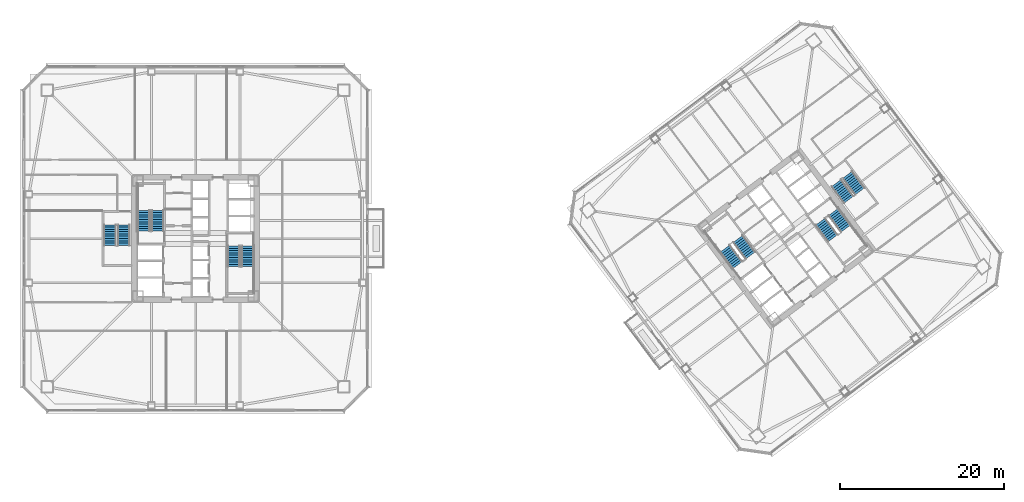
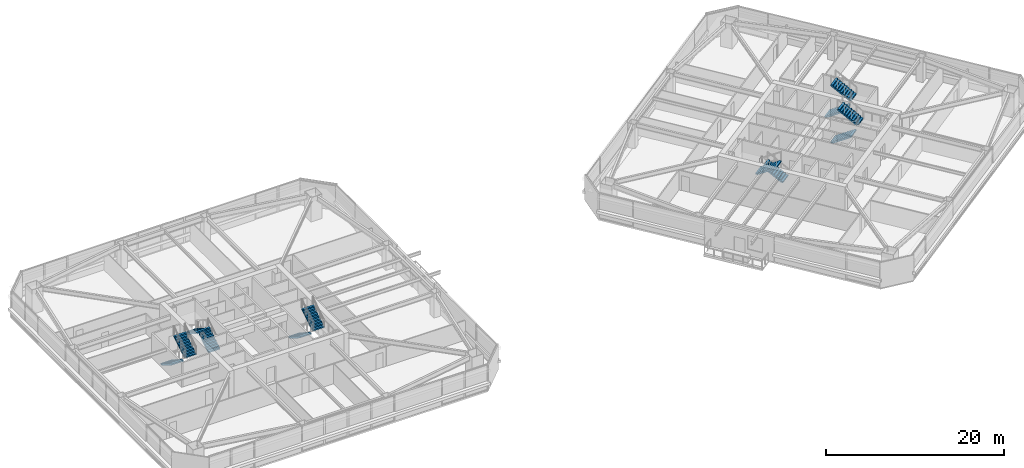
# One storey, part 37 of 44: 12 stair flights, 6 elements without a shape of their own.
"""IFC4 building model written with IfcOpenShell, lengths in metres."""

from ifc_helpers import new_model, si_unit, direction, frame, origin, place, context, subcontext, project, spatial, polyline, outline, extrude, material, type_object, element, aggregate, save


model = new_model("IFC4")

# Units and contexts
model_context = context("Model", 3, precision=1e-05, world=origin(), true_north=direction((0.0, 1.0)))
body_context = subcontext(model_context, "Body", "Model", "MODEL_VIEW")
ifc_project = project(units=[si_unit("LENGTHUNIT", "METRE"), si_unit("AREAUNIT", "SQUARE_METRE"), si_unit("VOLUMEUNIT", "CUBIC_METRE"), si_unit("PLANEANGLEUNIT", "RADIAN"), si_unit("MASSUNIT", "GRAM", prefix="KILO")], contexts=[model_context])

# Site, building, storey
site_placement = place(None, origin())
site = spatial("IfcSite", under=ifc_project, at=site_placement, CompositionType="ELEMENT")
building_placement = place(site_placement, origin())
building = spatial("IfcBuilding", under=site, at=building_placement, Name="Tashvorn Skyway Center", CompositionType="ELEMENT")
storey_placement = place(building_placement, frame((0.0, 0.0, 84.949951171875)))
storey = spatial("IfcBuildingStorey", under=building, at=storey_placement, Name="L22", CompositionType="ELEMENT", Elevation=84.949951171875)

# Stair, stair flights
ifc_material = material(Name="Concrete C40/50", Category="concrete")
stair_type = type_object("IfcStairType", Name="STAIR-CORE-1500", PredefinedType="HALF_TURN_STAIR", material=ifc_material)
stair_1_placement = place(storey_placement, origin())
stair_1 = element("IfcStair", 1, at=stair_1_placement, inside=storey, type_object=stair_type, Name="L22 Tower 1 Exit Stair 1", PredefinedType="HALF_TURN_STAIR")
stair_flight_type = type_object("IfcStairFlightType", Name="SFLIGHT-1500", PredefinedType="STRAIGHT", material=ifc_material)
stair_flight_1_placement = place(storey_placement, frame((37.35009765625, 32.919921875, 0.0), z_axis=(0.0, 0.0, 1.0), x_axis=(0.0, 1.0, 0.0)))
stair_flight_1 = element("IfcStairFlight", 2, at=stair_flight_1_placement, type_object=stair_flight_type, Name="ST-T1-1 flight 1", NumberOfRisers=10, NumberOfTreads=9, PredefinedType="STRAIGHT", RiserHeight=0.1775, TreadLength=0.28, context=body_context, shape_type="SweptSolid", body=[
    extrude(outline(polyline([(0.0, 0.0), (0.0, 0.177490234375), (0.280029296875, 0.177490234375), (0.280029296875, 0.35498046875), (0.56005859375, 0.35498046875), (0.56005859375, 0.532470703125), (0.840087890625, 0.532470703125), (0.840087890625, 0.7099609375), (1.1201171875, 0.7099609375), (1.1201171875, 0.887451171875), (1.39990234375, 0.887451171875), (1.39990234375, 1.06494140625), (1.679931640625, 1.06494140625), (1.679931640625, 1.242431640625), (1.9599609375, 1.242431640625), (1.9599609375, 1.419921875), (2.239990234375, 1.419921875), (2.239990234375, 1.597412109375), (2.52001953125, 1.597412109375), (2.52001953125, 1.77490234375), (2.52001953125, 1.419921875), (0.280029296875, 0.0), (0.0, 0.0)])), frame((0.0, 0.75, 0.0), z_axis=(0.0, -1.0, 0.0), x_axis=(1.0, 0.0, 0.0)), (0.0, 0.0, 1.0), 1.5),
])
stair_flight_2_placement = place(storey_placement, frame((35.64990234375, 35.43994140625, 1.775146484375), z_axis=(0.0, 0.0, 1.0), x_axis=(0.0, -1.0, 0.0)))
stair_flight_2 = element("IfcStairFlight", 3, at=stair_flight_2_placement, type_object=stair_flight_type, Name="ST-T1-1 flight 2", NumberOfRisers=10, NumberOfTreads=9, PredefinedType="STRAIGHT", RiserHeight=0.1775, TreadLength=0.28, context=body_context, shape_type="SweptSolid", body=[
    extrude(outline(polyline([(0.0, 0.0), (0.0, 0.177490234375), (0.280029296875, 0.177490234375), (0.280029296875, 0.35498046875), (0.56005859375, 0.35498046875), (0.56005859375, 0.532470703125), (0.840087890625, 0.532470703125), (0.840087890625, 0.7099609375), (1.1201171875, 0.7099609375), (1.1201171875, 0.887451171875), (1.39990234375, 0.887451171875), (1.39990234375, 1.06494140625), (1.679931640625, 1.06494140625), (1.679931640625, 1.242431640625), (1.9599609375, 1.242431640625), (1.9599609375, 1.419921875), (2.239990234375, 1.419921875), (2.239990234375, 1.597412109375), (2.52001953125, 1.597412109375), (2.52001953125, 1.77490234375), (2.52001953125, 1.419921875), (0.280029296875, 0.0), (0.0, 0.0)])), frame((0.0, 0.75, 0.0), z_axis=(0.0, -1.0, 0.0), x_axis=(1.0, 0.0, 0.0)), (0.0, 0.0, 1.0), 1.5),
])
aggregate(stair_1, [stair_flight_1, stair_flight_2])

stair_2_placement = place(storey_placement, origin())
stair_2 = element("IfcStair", 4, at=stair_2_placement, inside=storey, type_object=stair_type, Name="L22 Tower 1 Exit Stair 2", PredefinedType="HALF_TURN_STAIR")
stair_flight_3_placement = place(storey_placement, frame((46.64990234375, 31.080078125, 0.0), z_axis=(0.0, 0.0, 1.0), x_axis=(0.0, -1.0, 0.0)))
stair_flight_3 = element("IfcStairFlight", 5, at=stair_flight_3_placement, type_object=stair_flight_type, Name="ST-T1-2 flight 1", NumberOfRisers=10, NumberOfTreads=9, PredefinedType="STRAIGHT", RiserHeight=0.1775, TreadLength=0.28, context=body_context, shape_type="SweptSolid", body=[
    extrude(outline(polyline([(0.0, 0.0), (0.0, 0.177490234375), (0.280029296875, 0.177490234375), (0.280029296875, 0.35498046875), (0.56005859375, 0.35498046875), (0.56005859375, 0.532470703125), (0.840087890625, 0.532470703125), (0.840087890625, 0.7099609375), (1.1201171875, 0.7099609375), (1.1201171875, 0.887451171875), (1.39990234375, 0.887451171875), (1.39990234375, 1.06494140625), (1.679931640625, 1.06494140625), (1.679931640625, 1.242431640625), (1.9599609375, 1.242431640625), (1.9599609375, 1.419921875), (2.239990234375, 1.419921875), (2.239990234375, 1.597412109375), (2.52001953125, 1.597412109375), (2.52001953125, 1.77490234375), (2.52001953125, 1.419921875), (0.280029296875, 0.0), (0.0, 0.0)])), frame((0.0, 0.75, 0.0), z_axis=(0.0, -1.0, 0.0), x_axis=(1.0, 0.0, 0.0)), (0.0, 0.0, 1.0), 1.5),
])
stair_flight_4_placement = place(storey_placement, frame((48.35009765625, 28.56005859375, 1.775146484375), z_axis=(0.0, 0.0, 1.0), x_axis=(0.0, 1.0, 0.0)))
stair_flight_4 = element("IfcStairFlight", 6, at=stair_flight_4_placement, type_object=stair_flight_type, Name="ST-T1-2 flight 2", NumberOfRisers=10, NumberOfTreads=9, PredefinedType="STRAIGHT", RiserHeight=0.1775, TreadLength=0.28, context=body_context, shape_type="SweptSolid", body=[
    extrude(outline(polyline([(0.0, 0.0), (0.0, 0.177490234375), (0.280029296875, 0.177490234375), (0.280029296875, 0.35498046875), (0.56005859375, 0.35498046875), (0.56005859375, 0.532470703125), (0.840087890625, 0.532470703125), (0.840087890625, 0.7099609375), (1.1201171875, 0.7099609375), (1.1201171875, 0.887451171875), (1.39990234375, 0.887451171875), (1.39990234375, 1.06494140625), (1.679931640625, 1.06494140625), (1.679931640625, 1.242431640625), (1.9599609375, 1.242431640625), (1.9599609375, 1.419921875), (2.239990234375, 1.419921875), (2.239990234375, 1.597412109375), (2.52001953125, 1.597412109375), (2.52001953125, 1.77490234375), (2.52001953125, 1.419921875), (0.280029296875, 0.0), (0.0, 0.0)])), frame((0.0, 0.75, 0.0), z_axis=(0.0, -1.0, 0.0), x_axis=(1.0, 0.0, 0.0)), (0.0, 0.0, 1.0), 1.5),
])
aggregate(stair_2, [stair_flight_3, stair_flight_4])

stair_3_placement = place(storey_placement, origin())
stair_3 = element("IfcStair", 7, at=stair_3_placement, inside=storey, type_object=stair_type, Name="L22 Tower 2 Exit Stair 1", PredefinedType="HALF_TURN_STAIR")
stair_flight_5_placement = place(storey_placement, frame((109.72802734375, 29.946044921875, 0.0), z_axis=(0.0, 0.0, 1.0), x_axis=(-0.600000004945, 0.799999996291, 0.0)))
stair_flight_5 = element("IfcStairFlight", 8, at=stair_flight_5_placement, type_object=stair_flight_type, Name="ST-T2-1 flight 1", NumberOfRisers=10, NumberOfTreads=9, PredefinedType="STRAIGHT", RiserHeight=0.1775, TreadLength=0.28, context=body_context, shape_type="SweptSolid", body=[
    extrude(outline(polyline([(0.0, 0.0), (0.0, 0.177490234375), (0.280029296875, 0.177490234375), (0.280029296875, 0.35498046875), (0.56005859375, 0.35498046875), (0.56005859375, 0.532470703125), (0.840087890625, 0.532470703125), (0.840087890625, 0.7099609375), (1.1201171875, 0.7099609375), (1.1201171875, 0.887451171875), (1.39990234375, 0.887451171875), (1.39990234375, 1.06494140625), (1.679931640625, 1.06494140625), (1.679931640625, 1.242431640625), (1.9599609375, 1.242431640625), (1.9599609375, 1.419921875), (2.239990234375, 1.419921875), (2.239990234375, 1.597412109375), (2.52001953125, 1.597412109375), (2.52001953125, 1.77490234375), (2.52001953125, 1.419921875), (0.280029296875, 0.0), (0.0, 0.0)])), frame((0.0, 0.75, 0.0), z_axis=(0.0, -1.0, 0.0), x_axis=(1.0, 0.0, 0.0)), (0.0, 0.0, 1.0), 1.5),
])
stair_flight_6_placement = place(storey_placement, frame((106.632080078125, 30.77392578125, 1.775146484375), z_axis=(0.0, 0.0, 1.0), x_axis=(0.600000004945, -0.799999996291, 0.0)))
stair_flight_6 = element("IfcStairFlight", 9, at=stair_flight_6_placement, type_object=stair_flight_type, Name="ST-T2-1 flight 2", NumberOfRisers=10, NumberOfTreads=9, PredefinedType="STRAIGHT", RiserHeight=0.1775, TreadLength=0.28, context=body_context, shape_type="SweptSolid", body=[
    extrude(outline(polyline([(0.0, 0.0), (0.0, 0.177490234375), (0.280029296875, 0.177490234375), (0.280029296875, 0.35498046875), (0.56005859375, 0.35498046875), (0.56005859375, 0.532470703125), (0.840087890625, 0.532470703125), (0.840087890625, 0.7099609375), (1.1201171875, 0.7099609375), (1.1201171875, 0.887451171875), (1.39990234375, 0.887451171875), (1.39990234375, 1.06494140625), (1.679931640625, 1.06494140625), (1.679931640625, 1.242431640625), (1.9599609375, 1.242431640625), (1.9599609375, 1.419921875), (2.239990234375, 1.419921875), (2.239990234375, 1.597412109375), (2.52001953125, 1.597412109375), (2.52001953125, 1.77490234375), (2.52001953125, 1.419921875), (0.280029296875, 0.0), (0.0, 0.0)])), frame((0.0, 0.75, 0.0), z_axis=(0.0, -1.0, 0.0), x_axis=(1.0, 0.0, 0.0)), (0.0, 0.0, 1.0), 1.5),
])
aggregate(stair_3, [stair_flight_5, stair_flight_6])

stair_4_placement = place(storey_placement, origin())
stair_4 = element("IfcStair", 10, at=stair_4_placement, inside=storey, type_object=stair_type, Name="L22 Tower 2 Exit Stair 2", PredefinedType="HALF_TURN_STAIR")
stair_flight_7_placement = place(storey_placement, frame((118.27197265625, 34.053955078125, 0.0), z_axis=(0.0, 0.0, 1.0), x_axis=(0.600000004945, -0.799999996291, 0.0)))
stair_flight_7 = element("IfcStairFlight", 11, at=stair_flight_7_placement, type_object=stair_flight_type, Name="ST-T2-2 flight 1", NumberOfRisers=10, NumberOfTreads=9, PredefinedType="STRAIGHT", RiserHeight=0.1775, TreadLength=0.28, context=body_context, shape_type="SweptSolid", body=[
    extrude(outline(polyline([(0.0, 0.0), (0.0, 0.177490234375), (0.280029296875, 0.177490234375), (0.280029296875, 0.35498046875), (0.56005859375, 0.35498046875), (0.56005859375, 0.532470703125), (0.840087890625, 0.532470703125), (0.840087890625, 0.7099609375), (1.1201171875, 0.7099609375), (1.1201171875, 0.887451171875), (1.39990234375, 0.887451171875), (1.39990234375, 1.06494140625), (1.679931640625, 1.06494140625), (1.679931640625, 1.242431640625), (1.9599609375, 1.242431640625), (1.9599609375, 1.419921875), (2.239990234375, 1.419921875), (2.239990234375, 1.597412109375), (2.52001953125, 1.597412109375), (2.52001953125, 1.77490234375), (2.52001953125, 1.419921875), (0.280029296875, 0.0), (0.0, 0.0)])), frame((0.0, 0.75, 0.0), z_axis=(0.0, -1.0, 0.0), x_axis=(1.0, 0.0, 0.0)), (0.0, 0.0, 1.0), 1.5),
])
stair_flight_8_placement = place(storey_placement, frame((121.367919921875, 33.22607421875, 1.775146484375), z_axis=(0.0, 0.0, 1.0), x_axis=(-0.600000004945, 0.799999996291, 0.0)))
stair_flight_8 = element("IfcStairFlight", 12, at=stair_flight_8_placement, type_object=stair_flight_type, Name="ST-T2-2 flight 2", NumberOfRisers=10, NumberOfTreads=9, PredefinedType="STRAIGHT", RiserHeight=0.1775, TreadLength=0.28, context=body_context, shape_type="SweptSolid", body=[
    extrude(outline(polyline([(0.0, 0.0), (0.0, 0.177490234375), (0.280029296875, 0.177490234375), (0.280029296875, 0.35498046875), (0.56005859375, 0.35498046875), (0.56005859375, 0.532470703125), (0.840087890625, 0.532470703125), (0.840087890625, 0.7099609375), (1.1201171875, 0.7099609375), (1.1201171875, 0.887451171875), (1.39990234375, 0.887451171875), (1.39990234375, 1.06494140625), (1.679931640625, 1.06494140625), (1.679931640625, 1.242431640625), (1.9599609375, 1.242431640625), (1.9599609375, 1.419921875), (2.239990234375, 1.419921875), (2.239990234375, 1.597412109375), (2.52001953125, 1.597412109375), (2.52001953125, 1.77490234375), (2.52001953125, 1.419921875), (0.280029296875, 0.0), (0.0, 0.0)])), frame((0.0, 0.75, 0.0), z_axis=(0.0, -1.0, 0.0), x_axis=(1.0, 0.0, 0.0)), (0.0, 0.0, 1.0), 1.5),
])
aggregate(stair_4, [stair_flight_7, stair_flight_8])

stair_5_placement = place(storey_placement, origin())
stair_5 = element("IfcStair", 13, at=stair_5_placement, inside=storey, type_object=stair_type, Name="L22 Tower 1 Exit Stair 3", PredefinedType="HALF_TURN_STAIR")
stair_flight_9_placement = place(storey_placement, frame((31.550048828125, 33.679931640625, 0.0), z_axis=(0.0, 0.0, 1.0), x_axis=(0.0, -1.0, 0.0)))
stair_flight_9 = element("IfcStairFlight", 14, at=stair_flight_9_placement, type_object=stair_flight_type, Name="ST-T1-3 flight 1", NumberOfRisers=10, NumberOfTreads=9, PredefinedType="STRAIGHT", RiserHeight=0.1775, TreadLength=0.28, context=body_context, shape_type="SweptSolid", body=[
    extrude(outline(polyline([(0.0, 0.0), (0.0, 0.177490234375), (0.280029296875, 0.177490234375), (0.280029296875, 0.35498046875), (0.56005859375, 0.35498046875), (0.56005859375, 0.532470703125), (0.840087890625, 0.532470703125), (0.840087890625, 0.7099609375), (1.1201171875, 0.7099609375), (1.1201171875, 0.887451171875), (1.39990234375, 0.887451171875), (1.39990234375, 1.06494140625), (1.679931640625, 1.06494140625), (1.679931640625, 1.242431640625), (1.9599609375, 1.242431640625), (1.9599609375, 1.419921875), (2.239990234375, 1.419921875), (2.239990234375, 1.597412109375), (2.52001953125, 1.597412109375), (2.52001953125, 1.77490234375), (2.52001953125, 1.419921875), (0.280029296875, 0.0), (0.0, 0.0)])), frame((0.0, 0.75, 0.0), z_axis=(0.0, -1.0, 0.0), x_axis=(1.0, 0.0, 0.0)), (0.0, 0.0, 1.0), 1.5),
])
stair_flight_10_placement = place(storey_placement, frame((33.25, 31.159912109375, 1.775146484375), z_axis=(0.0, 0.0, 1.0), x_axis=(0.0, 1.0, 0.0)))
stair_flight_10 = element("IfcStairFlight", 15, at=stair_flight_10_placement, type_object=stair_flight_type, Name="ST-T1-3 flight 2", NumberOfRisers=10, NumberOfTreads=9, PredefinedType="STRAIGHT", RiserHeight=0.1775, TreadLength=0.28, context=body_context, shape_type="SweptSolid", body=[
    extrude(outline(polyline([(0.0, 0.0), (0.0, 0.177490234375), (0.280029296875, 0.177490234375), (0.280029296875, 0.35498046875), (0.56005859375, 0.35498046875), (0.56005859375, 0.532470703125), (0.840087890625, 0.532470703125), (0.840087890625, 0.7099609375), (1.1201171875, 0.7099609375), (1.1201171875, 0.887451171875), (1.39990234375, 0.887451171875), (1.39990234375, 1.06494140625), (1.679931640625, 1.06494140625), (1.679931640625, 1.242431640625), (1.9599609375, 1.242431640625), (1.9599609375, 1.419921875), (2.239990234375, 1.419921875), (2.239990234375, 1.597412109375), (2.52001953125, 1.597412109375), (2.52001953125, 1.77490234375), (2.52001953125, 1.419921875), (0.280029296875, 0.0), (0.0, 0.0)])), frame((0.0, 0.75, 0.0), z_axis=(0.0, -1.0, 0.0), x_axis=(1.0, 0.0, 0.0)), (0.0, 0.0, 1.0), 1.5),
])
aggregate(stair_5, [stair_flight_9, stair_flight_10])

stair_6_placement = place(storey_placement, origin())
stair_6 = element("IfcStair", 16, at=stair_6_placement, inside=storey, type_object=stair_type, Name="L22 Tower 2 Exit Stair 3", PredefinedType="HALF_TURN_STAIR")
stair_flight_11_placement = place(storey_placement, frame((120.216064453125, 38.761962890625, 0.0), z_axis=(0.0, 0.0, 1.0), x_axis=(0.600000004945, -0.799999996291, 0.0)))
stair_flight_11 = element("IfcStairFlight", 17, at=stair_flight_11_placement, type_object=stair_flight_type, Name="ST-T2-3 flight 1", NumberOfRisers=10, NumberOfTreads=9, PredefinedType="STRAIGHT", RiserHeight=0.1775, TreadLength=0.28, context=body_context, shape_type="SweptSolid", body=[
    extrude(outline(polyline([(0.0, 0.0), (0.0, 0.177490234375), (0.280029296875, 0.177490234375), (0.280029296875, 0.35498046875), (0.56005859375, 0.35498046875), (0.56005859375, 0.532470703125), (0.840087890625, 0.532470703125), (0.840087890625, 0.7099609375), (1.1201171875, 0.7099609375), (1.1201171875, 0.887451171875), (1.39990234375, 0.887451171875), (1.39990234375, 1.06494140625), (1.679931640625, 1.06494140625), (1.679931640625, 1.242431640625), (1.9599609375, 1.242431640625), (1.9599609375, 1.419921875), (2.239990234375, 1.419921875), (2.239990234375, 1.597412109375), (2.52001953125, 1.597412109375), (2.52001953125, 1.77490234375), (2.52001953125, 1.419921875), (0.280029296875, 0.0), (0.0, 0.0)])), frame((0.0, 0.75, 0.0), z_axis=(0.0, -1.0, 0.0), x_axis=(1.0, 0.0, 0.0)), (0.0, 0.0, 1.0), 1.5),
])
stair_flight_12_placement = place(storey_placement, frame((123.087890625, 37.76611328125, 1.775146484375), z_axis=(0.0, 0.0, 1.0), x_axis=(-0.600000004945, 0.799999996291, 0.0)))
stair_flight_12 = element("IfcStairFlight", 18, at=stair_flight_12_placement, type_object=stair_flight_type, Name="ST-T2-3 flight 2", NumberOfRisers=10, NumberOfTreads=9, PredefinedType="STRAIGHT", RiserHeight=0.1775, TreadLength=0.28, context=body_context, shape_type="SweptSolid", body=[
    extrude(outline(polyline([(0.0, 0.0), (0.0, 0.177490234375), (0.280029296875, 0.177490234375), (0.280029296875, 0.35498046875), (0.56005859375, 0.35498046875), (0.56005859375, 0.532470703125), (0.840087890625, 0.532470703125), (0.840087890625, 0.7099609375), (1.1201171875, 0.7099609375), (1.1201171875, 0.887451171875), (1.39990234375, 0.887451171875), (1.39990234375, 1.06494140625), (1.679931640625, 1.06494140625), (1.679931640625, 1.242431640625), (1.9599609375, 1.242431640625), (1.9599609375, 1.419921875), (2.239990234375, 1.419921875), (2.239990234375, 1.597412109375), (2.52001953125, 1.597412109375), (2.52001953125, 1.77490234375), (2.52001953125, 1.419921875), (0.280029296875, 0.0), (0.0, 0.0)])), frame((0.0, 0.75, 0.0), z_axis=(0.0, -1.0, 0.0), x_axis=(1.0, 0.0, 0.0)), (0.0, 0.0, 1.0), 1.5),
])
aggregate(stair_6, [stair_flight_11, stair_flight_12])

save(model, "model.ifc")
